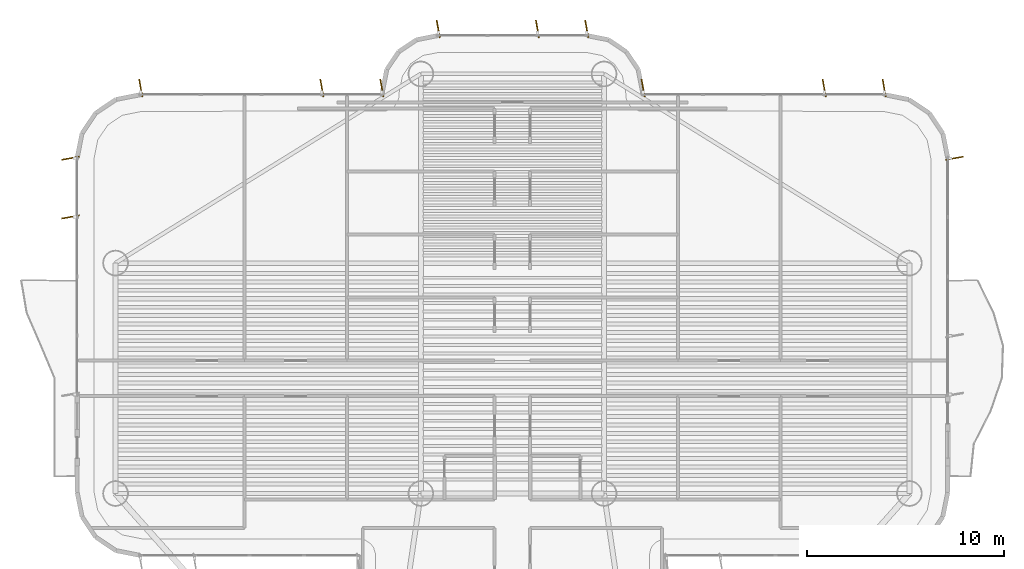
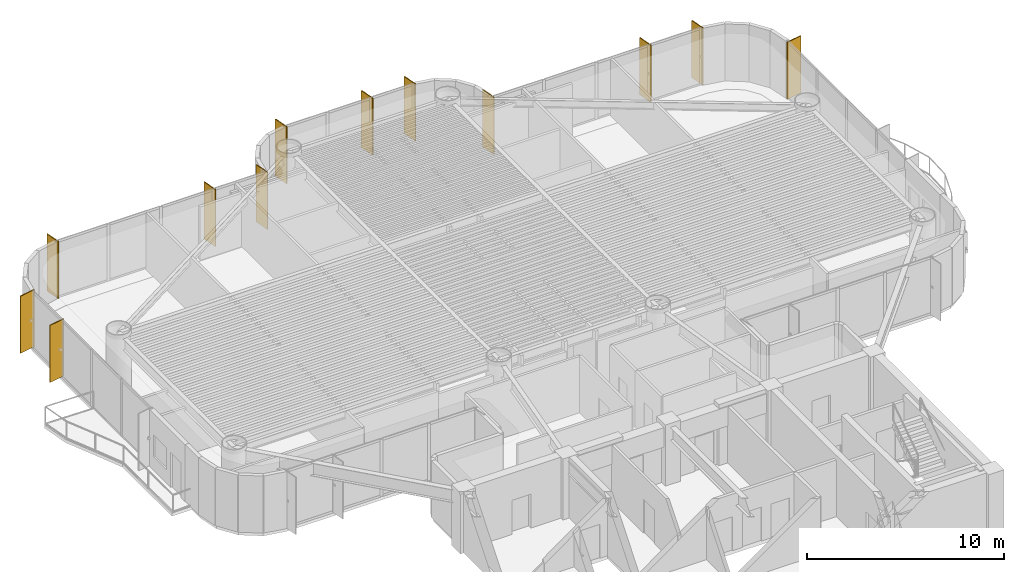
# One storey, part 16 of 16: 12 shading devices.
"""IFC4 building model written with IfcOpenShell, lengths in metres."""

from ifc_helpers import new_model, si_unit, direction, frame, origin, origin_2d, place, context, subcontext, project, spatial, rectangle, extrude, source, transform, mapped, material, material_profile, profile_set, type_object, element, save


model = new_model("IFC4")

# Units and contexts
model_context = context("Model", 3, precision=1e-05, world=origin(), true_north=direction((0.0, 1.0)))
body_context = subcontext(model_context, "Body", "Model", "MODEL_VIEW")
ifc_project = project(units=[si_unit("LENGTHUNIT", "METRE"), si_unit("AREAUNIT", "SQUARE_METRE"), si_unit("VOLUMEUNIT", "CUBIC_METRE"), si_unit("PLANEANGLEUNIT", "RADIAN"), si_unit("MASSUNIT", "GRAM", prefix="KILO")], contexts=[model_context])

# Site, building, storey
site_placement = place(None, origin())
site = spatial("IfcSite", under=ifc_project, at=site_placement, CompositionType="ELEMENT")
building_placement = place(site_placement, origin())
building = spatial("IfcBuilding", under=site, at=building_placement, Name="Brelvock Crest Care Tower", CompositionType="ELEMENT")
storey_placement = place(building_placement, frame((0.0, 0.0, 101.159912109375)))
storey = spatial("IfcBuildingStorey", under=building, at=storey_placement, Name="L25", CompositionType="ELEMENT", Elevation=101.159912109375)

# Shading devices
ifc_material = material(Name="Aluminium 6063-T6", Category="aluminium")
ifc_material_profile = material_profile(ifc_material, rectangle(XDim=0.054931640625, YDim=0.89990234375, at=origin_2d()), Name="FIN55x900")
ifc_profile_set = profile_set([ifc_material_profile], Name="Aluminium 6063-T6")
shading_device_type = type_object("IfcShadingDeviceType", Name="SHD-FIN1", PredefinedType="USERDEFINED", material=ifc_profile_set)
shared_shape = source(origin(), body_context, "Body", "SweptSolid", [
    extrude(rectangle(XDim=0.054931640625, YDim=0.89990234375, at=origin_2d()), origin(), (0.0, 0.0, 1.0), 3.530029296875),
])
for number, where, z_axis, x_axis, name in (
    (1, (13.56005859375, 41.1875, 0.0), (0.0, 0.0, 1.0), (-0.173648177667, 0.984807753012, 0.0), "L25 Vertical Sunshade Fin E17B-04"),
    (2, (13.56005859375, 44.169921875, 0.0), (0.0, 0.0, 1.0), (-0.173648177667, 0.984807753012, 0.0), "L25 Vertical Sunshade Fin E17B-05"),
    (3, (17.1298828125, 47.739990234375, 0.0), (0.0, 0.0, 1.0), (0.984807753012, 0.173648177667, 0.0), "L25 Vertical Sunshade Fin E22-01"),
    (4, (26.324951171875, 47.739990234375, 0.0), (0.0, 0.0, 1.0), (0.984807753012, 0.173648177667, 0.0), "L25 Vertical Sunshade Fin E22-04"),
    (5, (29.3701171875, 47.739990234375, 0.0), (0.0, 0.0, 1.0), (0.984807753012, 0.173648177667, 0.0), "L25 Vertical Sunshade Fin E22-05"),
    (6, (32.22998046875, 50.739990234375, 0.0), (0.0, 0.0, 1.0), (0.984807753012, 0.173648177667, 0.0), "L25 Vertical Sunshade Fin E28-01"),
    (7, (37.2666015625, 50.739990234375, 0.0), (0.0, 0.0, 1.0), (0.984807753012, 0.173648177667, 0.0), "L25 Vertical Sunshade Fin E28-03"),
    (8, (39.77001953125, 50.739990234375, 0.0), (0.0, 0.0, 1.0), (0.984807753012, 0.173648177667, 0.0), "L25 Vertical Sunshade Fin E28-04"),
    (9, (42.6298828125, 47.739990234375, 0.0), (0.0, 0.0, 1.0), (0.984807753012, 0.173648177667, 0.0), "L25 Vertical Sunshade Fin E34-01"),
    (10, (51.824951171875, 47.739990234375, 0.0), (0.0, 0.0, 1.0), (0.984807753012, 0.173648177667, 0.0), "L25 Vertical Sunshade Fin E34-04"),
    (11, (54.8701171875, 47.739990234375, 0.0), (0.0, 0.0, 1.0), (0.984807753012, 0.173648177667, 0.0), "L25 Vertical Sunshade Fin E34-05"),
    (12, (58.43994140625, 44.169921875, 0.0), (0.0, 0.0, 1.0), (0.173648177667, -0.984807753012, 0.0), "L25 Vertical Sunshade Fin E39A-01"),
):
    element("IfcShadingDevice", number, at=place(storey_placement, frame(where, z_axis=z_axis, x_axis=x_axis)), inside=storey, type_object=shading_device_type, Name=name, ObjectType="FIN", PredefinedType="USERDEFINED", context=body_context, shape_type="MappedRepresentation", body=[
        mapped(shared_shape, transform((0.0, 0.0, 0.0), x_axis=(1.0, 0.0, 0.0), y_axis=(0.0, 1.0, 0.0), z_axis=(0.0, 0.0, 1.0), scale=1.0)),
    ])

save(model, "model.ifc")
